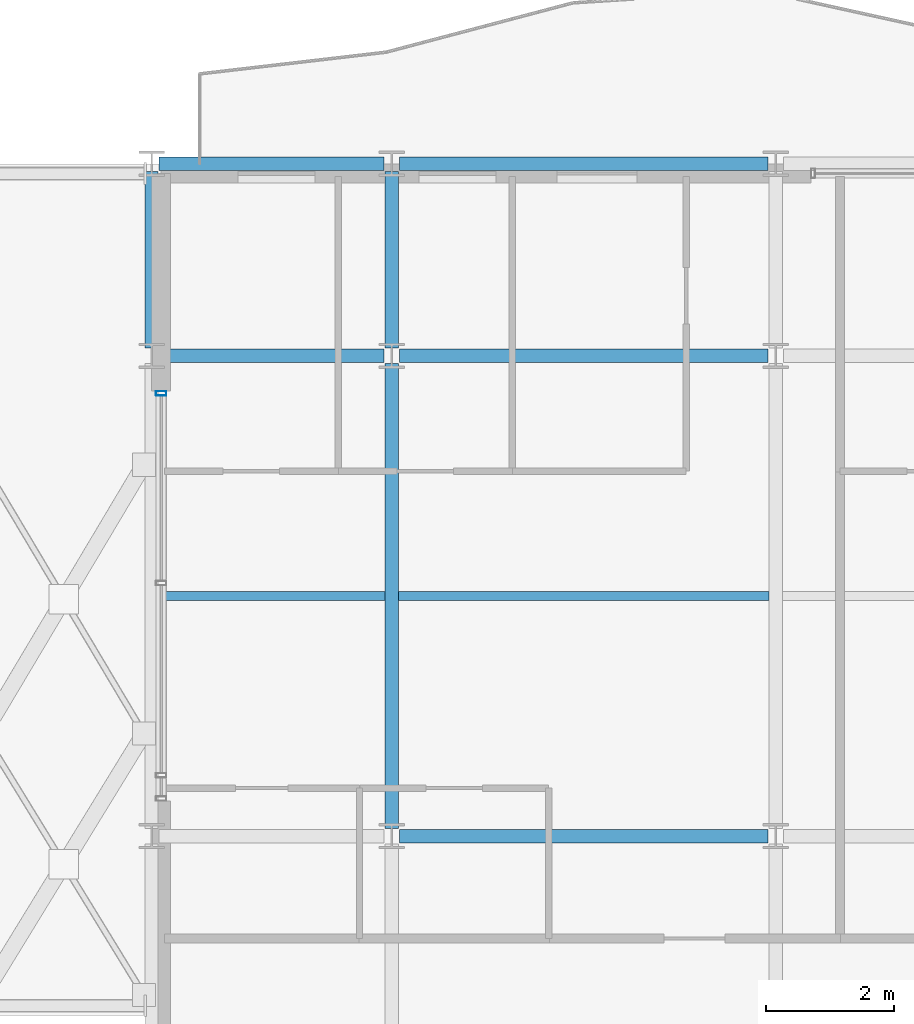
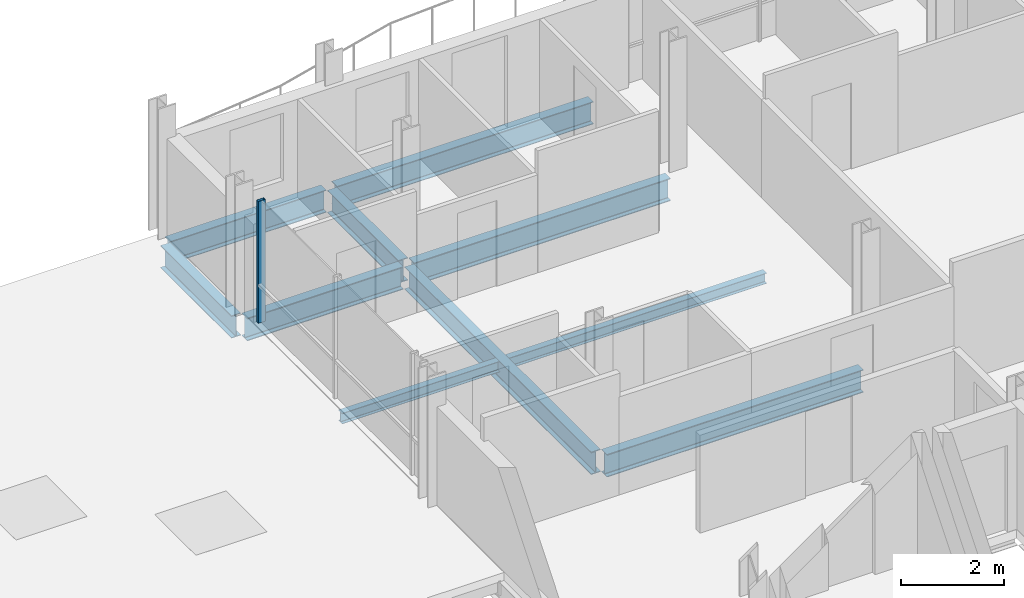
# One storey, part 15 of 33: 10 beams, 1 member, 1 element without a shape of its own.
"""IFC4 building model written with IfcOpenShell, lengths in metres."""

from ifc_helpers import new_model, si_unit, direction, frame, origin, origin_2d, place, context, subcontext, project, spatial, hollow_rectangle, i_section, extrude, material, layer, layer_set, material_profile, profile_set, type_object, element, aggregate, save


model = new_model("IFC4")

# Units and contexts
model_context = context("Model", 3, precision=1e-05, world=origin(), true_north=direction((0.0, 1.0)))
body_context = subcontext(model_context, "Body", "Model", "MODEL_VIEW")
ifc_project = project(units=[si_unit("LENGTHUNIT", "METRE"), si_unit("AREAUNIT", "SQUARE_METRE"), si_unit("VOLUMEUNIT", "CUBIC_METRE"), si_unit("PLANEANGLEUNIT", "RADIAN"), si_unit("MASSUNIT", "GRAM", prefix="KILO")], contexts=[model_context])

# Site, building, storey
site_placement = place(None, origin())
site = spatial("IfcSite", under=ifc_project, at=site_placement, CompositionType="ELEMENT")
building_placement = place(site_placement, origin())
building = spatial("IfcBuilding", under=site, at=building_placement, Name="Brevholm Reach", CompositionType="ELEMENT")
storey_placement = place(building_placement, frame((0.0, 0.0, 189.39990234375)))
storey = spatial("IfcBuildingStorey", under=building, at=storey_placement, Name="L57", CompositionType="ELEMENT", Elevation=189.39990234375)

# Beams
ifc_material_1 = material(Name="Structural Steel S355J2", Category="steel")
ifc_material_profile_1 = material_profile(ifc_material_1, i_section(OverallWidth=0.14599609375, OverallDepth=0.25146484375, WebThickness=0.006103515625, FlangeThickness=0.008544921875, FilletRadius=0.007568359375, at=origin_2d()), Name="UKB 254x146x31")
ifc_profile_set_1 = profile_set([ifc_material_profile_1], Name="Structural Steel S355J2")
beam_type_1 = type_object("IfcBeamType", Name="BM-B254", PredefinedType="BEAM", material=ifc_profile_set_1)
beam_1_placement = place(storey_placement, frame((38.354736328125, 19.75, -0.335693359375), z_axis=(1.0, 0.0, 0.0), x_axis=(0.0, 1.0, 0.0)))
element("IfcBeam", 1, at=beam_1_placement, inside=storey, type_object=beam_type_1, Name="L57 Composite Secondary Floor Beam", PredefinedType="BEAM", context=body_context, shape_type="SweptSolid", body=[
    extrude(i_section(OverallWidth=0.14599609375, OverallDepth=0.25146484375, WebThickness=0.006103515625, FlangeThickness=0.008544921875, FilletRadius=0.007568359375, at=origin_2d()), origin(), (0.0, 0.0, 1.0), 3.539794921875),
])
beam_2_placement = place(storey_placement, frame((42.10546875, 19.75, -0.335693359375), z_axis=(1.0, 0.0, 0.0), x_axis=(0.0, 1.0, 0.0)))
element("IfcBeam", 2, at=beam_2_placement, inside=storey, type_object=beam_type_1, Name="L57 Composite Secondary Floor Beam", PredefinedType="BEAM", context=body_context, shape_type="SweptSolid", body=[
    extrude(i_section(OverallWidth=0.14599609375, OverallDepth=0.25146484375, WebThickness=0.006103515625, FlangeThickness=0.008544921875, FilletRadius=0.007568359375, at=origin_2d()), origin(), (0.0, 0.0, 1.0), 5.7890625),
])
ifc_material_2 = material(Name="Structural Steel S355J2", Category="steel")
ifc_material_profile_2 = material_profile(ifc_material_2, i_section(OverallWidth=0.209228515625, OverallDepth=0.533203125, WebThickness=0.010009765625, FlangeThickness=0.015625, FilletRadius=0.0126953125, at=origin_2d()), Name="UKB 533x210x92")
ifc_profile_set_2 = profile_set([ifc_material_profile_2], Name="Structural Steel S355J2")
beam_type_2 = type_object("IfcBeamType", Name="BM-SP533", PredefinedType="SPANDREL", material=ifc_profile_set_2)
beam_3_placement = place(storey_placement, frame((38.3701171875, 26.5, -0.4765625), z_axis=(1.0, 0.0, 0.0), x_axis=(0.0, 1.0, 0.0)))
element("IfcBeam", 3, at=beam_3_placement, inside=storey, type_object=beam_type_2, Name="L57 SP-02 Framing Beam", PredefinedType="SPANDREL", context=body_context, shape_type="SweptSolid", body=[
    extrude(i_section(OverallWidth=0.209228515625, OverallDepth=0.533203125, WebThickness=0.010009765625, FlangeThickness=0.015625, FilletRadius=0.0126953125, at=origin_2d()), origin(), (0.0, 0.0, 1.0), 3.509765625),
])
beam_4_placement = place(storey_placement, frame((42.1201171875, 26.5, -0.4765625), z_axis=(1.0, 0.0, 0.0), x_axis=(0.0, 1.0, 0.0)))
element("IfcBeam", 4, at=beam_4_placement, inside=storey, type_object=beam_type_2, Name="L57 SP-02 Framing Beam", PredefinedType="SPANDREL", context=body_context, shape_type="SweptSolid", body=[
    extrude(i_section(OverallWidth=0.209228515625, OverallDepth=0.533203125, WebThickness=0.010009765625, FlangeThickness=0.015625, FilletRadius=0.0126953125, at=origin_2d()), origin(), (0.0, 0.0, 1.0), 5.759765625),
])
beam_5_placement = place(storey_placement, frame((38.25, 23.6201171875, -0.4765625), z_axis=(0.0, 1.0, 0.0), x_axis=(-1.0, 0.0, 0.0)))
element("IfcBeam", 5, at=beam_5_placement, inside=storey, type_object=beam_type_2, Name="L57 SP-02 Framing Beam", PredefinedType="SPANDREL", context=body_context, shape_type="SweptSolid", body=[
    extrude(i_section(OverallWidth=0.209228515625, OverallDepth=0.533203125, WebThickness=0.010009765625, FlangeThickness=0.015625, FilletRadius=0.0126953125, at=origin_2d()), origin(), (0.0, 0.0, 1.0), 2.759765625),
])
ifc_material_3 = material(Name="Structural Steel S355J2", Category="steel")
ifc_material_profile_3 = material_profile(ifc_material_3, i_section(OverallWidth=0.210693359375, OverallDepth=0.53955078125, WebThickness=0.01171875, FlangeThickness=0.018798828125, FilletRadius=0.0126953125, at=origin_2d()), Name="UKB 533x210x109")
ifc_profile_set_3 = profile_set([ifc_material_profile_3], Name="Structural Steel S355J2")
beam_type_3 = type_object("IfcBeamType", Name="BM-SP539", PredefinedType="SPANDREL", material=ifc_profile_set_3)
beam_6_placement = place(storey_placement, frame((42.1201171875, 16.0, -0.479736328125), z_axis=(1.0, 0.0, 0.0), x_axis=(0.0, 1.0, 0.0)))
element("IfcBeam", 6, at=beam_6_placement, inside=storey, type_object=beam_type_3, Name="L57 SP-01B Framing Beam", PredefinedType="SPANDREL", context=body_context, shape_type="SweptSolid", body=[
    extrude(i_section(OverallWidth=0.210693359375, OverallDepth=0.53955078125, WebThickness=0.01171875, FlangeThickness=0.018798828125, FilletRadius=0.0126953125, at=origin_2d()), origin(), (0.0, 0.0, 1.0), 5.759765625),
])
beam_7_placement = place(storey_placement, frame((38.3701171875, 23.5, -0.479736328125), z_axis=(1.0, 0.0, 0.0), x_axis=(0.0, 1.0, 0.0)))
element("IfcBeam", 7, at=beam_7_placement, inside=storey, type_object=beam_type_3, Name="L57 SP-01B Framing Beam", PredefinedType="SPANDREL", context=body_context, shape_type="SweptSolid", body=[
    extrude(i_section(OverallWidth=0.210693359375, OverallDepth=0.53955078125, WebThickness=0.01171875, FlangeThickness=0.018798828125, FilletRadius=0.0126953125, at=origin_2d()), origin(), (0.0, 0.0, 1.0), 3.509765625),
])
beam_8_placement = place(storey_placement, frame((42.1201171875, 23.5, -0.479736328125), z_axis=(1.0, 0.0, 0.0), x_axis=(0.0, 1.0, 0.0)))
element("IfcBeam", 8, at=beam_8_placement, inside=storey, type_object=beam_type_3, Name="L57 SP-01B Framing Beam", PredefinedType="SPANDREL", context=body_context, shape_type="SweptSolid", body=[
    extrude(i_section(OverallWidth=0.210693359375, OverallDepth=0.53955078125, WebThickness=0.01171875, FlangeThickness=0.018798828125, FilletRadius=0.0126953125, at=origin_2d()), origin(), (0.0, 0.0, 1.0), 5.759765625),
])
beam_9_placement = place(storey_placement, frame((42.0, 16.1201171875, -0.479736328125), z_axis=(0.0, 1.0, 0.0), x_axis=(-1.0, 0.0, 0.0)))
element("IfcBeam", 9, at=beam_9_placement, inside=storey, type_object=beam_type_3, Name="L57 SP-01B Framing Beam", PredefinedType="SPANDREL", context=body_context, shape_type="SweptSolid", body=[
    extrude(i_section(OverallWidth=0.210693359375, OverallDepth=0.53955078125, WebThickness=0.01171875, FlangeThickness=0.018798828125, FilletRadius=0.0126953125, at=origin_2d()), origin(), (0.0, 0.0, 1.0), 7.259765625),
])
beam_10_placement = place(storey_placement, frame((42.0, 23.6201171875, -0.479736328125), z_axis=(0.0, 1.0, 0.0), x_axis=(-1.0, 0.0, 0.0)))
element("IfcBeam", 10, at=beam_10_placement, inside=storey, type_object=beam_type_3, Name="L57 SP-01B Framing Beam", PredefinedType="SPANDREL", context=body_context, shape_type="SweptSolid", body=[
    extrude(i_section(OverallWidth=0.210693359375, OverallDepth=0.53955078125, WebThickness=0.01171875, FlangeThickness=0.018798828125, FilletRadius=0.0126953125, at=origin_2d()), origin(), (0.0, 0.0, 1.0), 2.759765625),
])

# Curtain wall, member
ifc_material_4 = material(Name="Dark Anodised Aluminium 6063-T6 and Solar-Control Glass", Category="aluminium")
ifc_layer = layer(ifc_material_4, 0.1650390625)
ifc_layer_set = layer_set([ifc_layer], Name="Dark Anodised Aluminium 6063-T6 and Solar-Control Glass")
curtain_wall_type = type_object("IfcCurtainWallType", Name="CW-04", PredefinedType="NOTDEFINED", material=ifc_layer_set)
curtain_wall_placement = place(storey_placement, origin())
curtain_wall = element("IfcCurtainWall", 11, at=curtain_wall_placement, inside=storey, type_object=curtain_wall_type, Name="L57 Curtain Wall CW-04", PredefinedType="NOTDEFINED")
ifc_material_5 = material(Name="Dark Anodised Aluminium 6063-T6", Category="aluminium")
ifc_material_profile_4 = material_profile(ifc_material_5, hollow_rectangle(XDim=0.070068359375, YDim=0.1650390625, WallThickness=0.0048828125, InnerFilletRadius=0.0048828125, OuterFilletRadius=0.010009765625, at=origin_2d()), Name="RHS 165x70x5")
ifc_profile_set_4 = profile_set([ifc_material_profile_4], Name="Dark Anodised Aluminium 6063-T6")
member_type = type_object("IfcMemberType", Name="CWM-165", PredefinedType="MULLION", material=ifc_profile_set_4)
member_placement = place(storey_placement, frame((38.39990234375, 22.9150390625, 0.0), z_axis=(0.0, 0.0, 1.0), x_axis=(0.0, -1.0, 0.0)))
member = element("IfcMember", 12, at=member_placement, type_object=member_type, Name="CM-165 Mullion 1", PredefinedType="MULLION", context=body_context, shape_type="SweptSolid", body=[
    extrude(hollow_rectangle(XDim=0.070068359375, YDim=0.1650390625, WallThickness=0.0048828125, InnerFilletRadius=0.0048828125, OuterFilletRadius=0.010009765625, at=origin_2d()), origin(), (0.0, 0.0, 1.0), 2.89013671875),
])
aggregate(curtain_wall, [member])

save(model, "model.ifc")
